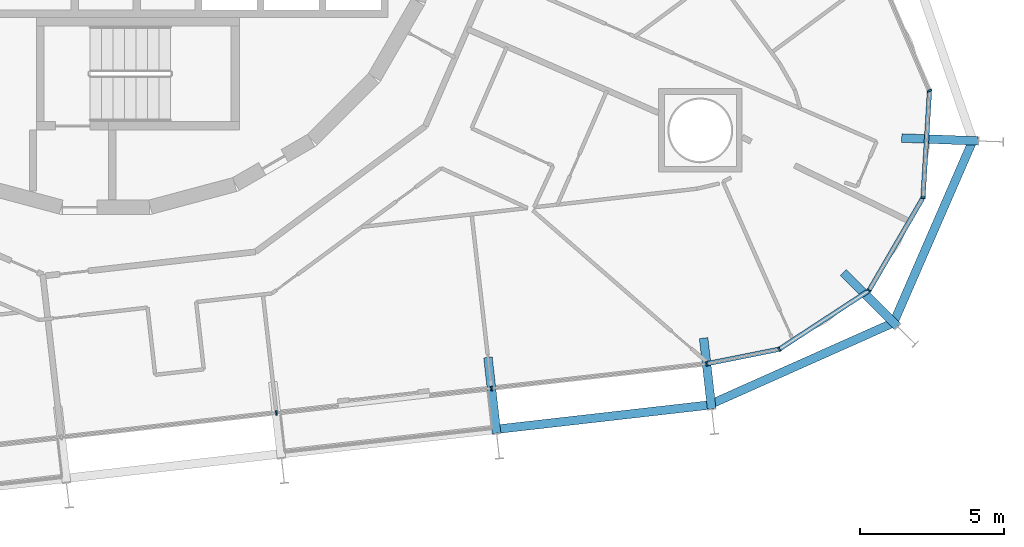
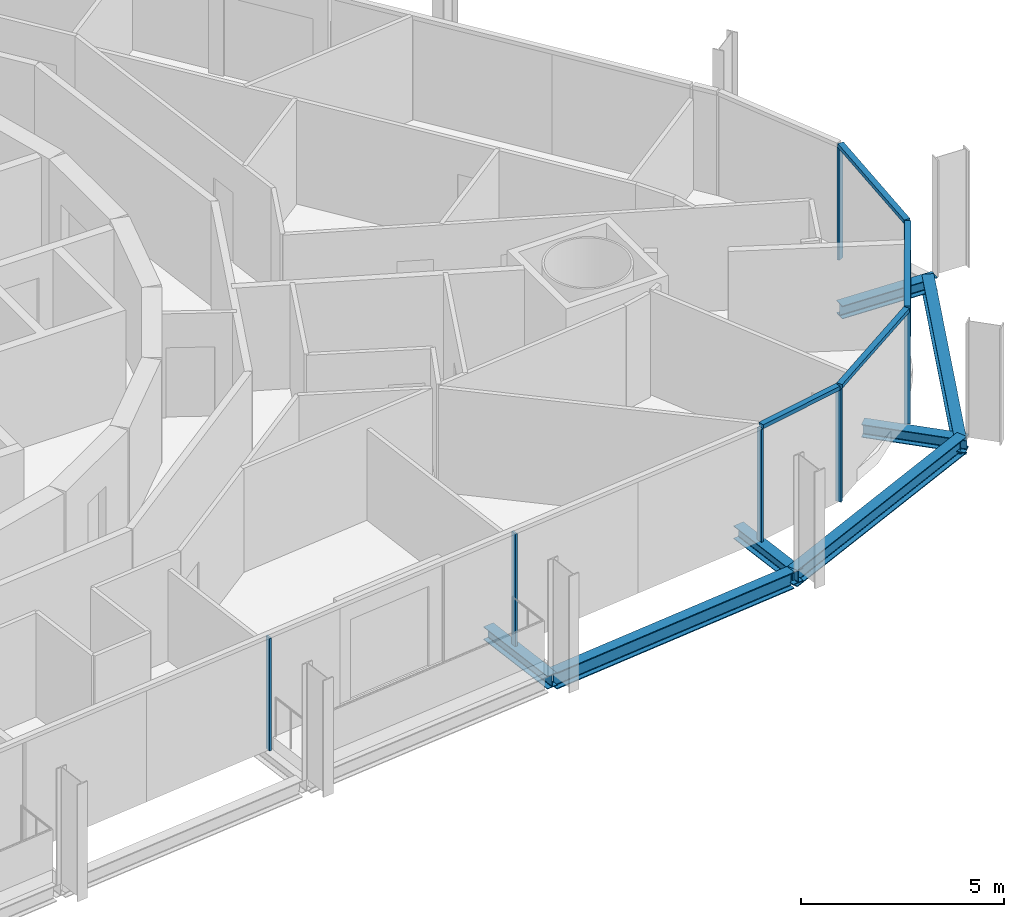
# One storey, part 7 of 23: 11 members, 7 beams, 2 elements without a shape of their own.
"""IFC4 building model written with IfcOpenShell, lengths in metres."""

from ifc_helpers import new_model, si_unit, direction, frame, origin, origin_2d, place, context, subcontext, project, spatial, rectangle, i_section, extrude, material, layer, layer_set, material_profile, profile_set, type_object, element, aggregate, save


model = new_model("IFC4")

# Units and contexts
model_context = context("Model", 3, precision=1e-05, world=origin(), true_north=direction((0.0, 1.0)))
body_context = subcontext(model_context, "Body", "Model", "MODEL_VIEW")
ifc_project = project(units=[si_unit("LENGTHUNIT", "METRE"), si_unit("AREAUNIT", "SQUARE_METRE"), si_unit("VOLUMEUNIT", "CUBIC_METRE"), si_unit("PLANEANGLEUNIT", "RADIAN"), si_unit("MASSUNIT", "GRAM", prefix="KILO")], contexts=[model_context])

# Site, building, storey
site_placement = place(None, origin())
site = spatial("IfcSite", under=ifc_project, at=site_placement, CompositionType="ELEMENT")
building_placement = place(site_placement, origin())
building = spatial("IfcBuilding", under=site, at=building_placement, Name="Spindle Arch Residences", CompositionType="ELEMENT")
storey_placement = place(building_placement, frame((0.0, 0.0, 83.699951171875)))
storey = spatial("IfcBuildingStorey", under=building, at=storey_placement, Name="L19", CompositionType="ELEMENT", Elevation=83.699951171875)

# Curtain wall, members
ifc_material_1 = material(Name="Aluminium bronze unitised frame with tinted glass", Category="aluminium")
ifc_layer_1 = layer(ifc_material_1, 0.159912109375)
ifc_layer_set_1 = layer_set([ifc_layer_1], Name="CW-D corner wall on the fillet arcs")
curtain_wall_type_1 = type_object("IfcCurtainWallType", Name="CW-D corner wall on the fillet arcs", PredefinedType="NOTDEFINED", material=ifc_layer_set_1)
curtain_wall_1_placement = place(storey_placement, origin())
curtain_wall_1 = element("IfcCurtainWall", 1, at=curtain_wall_1_placement, inside=storey, type_object=curtain_wall_type_1, Name="CW-D L19 run 1", PredefinedType="NOTDEFINED")
ifc_material_2 = material(Name="Aluminium bronze anodised mullion", Category="aluminium")
ifc_material_profile_1 = material_profile(ifc_material_2, rectangle(XDim=0.159912109375, YDim=0.06005859375, at=origin_2d()), Name="MU 60x160")
ifc_profile_set_1 = profile_set([ifc_material_profile_1], Name="Aluminium bronze anodised mullion")
member_type_1 = type_object("IfcMemberType", Name="Bronze mullion 60x160", PredefinedType="MULLION", material=ifc_profile_set_1)
member_1_placement = place(storey_placement, frame((20.865234375, -17.085205078125, -0.3798828125), z_axis=(0.0, 0.0, 1.0), x_axis=(-0.196863041416, 0.980430998553, 0.0)))
member_1 = element("IfcMember", 2, at=member_1_placement, type_object=member_type_1, Name="CW-D mullion 00", PredefinedType="MULLION", context=body_context, shape_type="SweptSolid", body=[
    extrude(rectangle(XDim=0.159912109375, YDim=0.06005859375, at=origin_2d()), origin(), (0.0, 0.0, 1.0), 3.3798828125),
])
member_2_placement = place(storey_placement, frame((23.38916015625, -16.57861328125, -0.3798828125), z_axis=(0.0, 0.0, 1.0), x_axis=(-0.547076323657, 0.83708272954, 0.0)))
member_2 = element("IfcMember", 3, at=member_2_placement, type_object=member_type_1, Name="CW-D mullion 01", PredefinedType="MULLION", context=body_context, shape_type="SweptSolid", body=[
    extrude(rectangle(XDim=0.159912109375, YDim=0.06005859375, at=origin_2d()), origin(), (0.0, 0.0, 1.0), 3.3798828125),
])
member_3_placement = place(storey_placement, frame((26.508544921875, -14.539794921875, -0.3798828125), z_axis=(0.0, 0.0, 1.0), x_axis=(-0.864567301682, 0.502517045345, 0.0)))
member_3 = element("IfcMember", 4, at=member_3_placement, type_object=member_type_1, Name="CW-D mullion 02", PredefinedType="MULLION", context=body_context, shape_type="SweptSolid", body=[
    extrude(rectangle(XDim=0.159912109375, YDim=0.06005859375, at=origin_2d()), origin(), (0.0, 0.0, 1.0), 3.3798828125),
])
member_4_placement = place(storey_placement, frame((28.38134765625, -11.317626953125, -0.3798828125), z_axis=(0.0, 0.0, 1.0), x_axis=(-0.998134798631, 0.06104853612, 0.0)))
member_4 = element("IfcMember", 5, at=member_4_placement, type_object=member_type_1, Name="CW-D mullion 03", PredefinedType="MULLION", context=body_context, shape_type="SweptSolid", body=[
    extrude(rectangle(XDim=0.159912109375, YDim=0.06005859375, at=origin_2d()), origin(), (0.0, 0.0, 1.0), 3.3798828125),
])
member_5_placement = place(storey_placement, frame((28.60888671875, -7.597900390625, -0.3798828125), z_axis=(0.0, 0.0, 1.0), x_axis=(-0.919364369298, -0.393407112882, 0.0)))
member_5 = element("IfcMember", 6, at=member_5_placement, type_object=member_type_1, Name="CW-D mullion 04", PredefinedType="MULLION", context=body_context, shape_type="SweptSolid", body=[
    extrude(rectangle(XDim=0.159912109375, YDim=0.06005859375, at=origin_2d()), origin(), (0.0, 0.0, 1.0), 3.3798828125),
])

ifc_material_3 = material(Name="Aluminium bronze unitised frame with tinted glass", Category="aluminium")
ifc_layer_2 = layer(ifc_material_3, 0.159912109375)
ifc_layer_set_2 = layer_set([ifc_layer_2], Name="CW-C typical residential unitised wall")
curtain_wall_type_2 = type_object("IfcCurtainWallType", Name="CW-C typical residential unitised wall", PredefinedType="NOTDEFINED", material=ifc_layer_set_2)
curtain_wall_2_placement = place(storey_placement, origin())
curtain_wall_2 = element("IfcCurtainWall", 7, at=curtain_wall_2_placement, inside=storey, type_object=curtain_wall_type_2, Name="CW-C L19 run 6", PredefinedType="NOTDEFINED")
member_6_placement = place(storey_placement, frame((5.92431640625, -18.78759765625, -0.3798828125), z_axis=(0.0, 0.0, 1.0), x_axis=(-0.113203213768, 0.993571855677, 0.0)))
member_6 = element("IfcMember", 8, at=member_6_placement, type_object=member_type_1, Name="CW-C mullion 00", PredefinedType="MULLION", context=body_context, shape_type="SweptSolid", body=[
    extrude(rectangle(XDim=0.159912109375, YDim=0.06005859375, at=origin_2d()), origin(), (0.0, 0.0, 1.0), 3.3798828125),
])
member_7_placement = place(storey_placement, frame((13.394775390625, -17.9365234375, -0.3798828125), z_axis=(0.0, 0.0, 1.0), x_axis=(-0.113203213768, 0.993571855677, 0.0)))
member_7 = element("IfcMember", 9, at=member_7_placement, type_object=member_type_1, Name="CW-C mullion 01", PredefinedType="MULLION", context=body_context, shape_type="SweptSolid", body=[
    extrude(rectangle(XDim=0.159912109375, YDim=0.06005859375, at=origin_2d()), origin(), (0.0, 0.0, 1.0), 3.3798828125),
])
aggregate(curtain_wall_2, [member_6, member_7])

# Member
ifc_material_4 = material(Name="Aluminium bronze anodised transom", Category="aluminium")
ifc_material_profile_2 = material_profile(ifc_material_4, rectangle(XDim=0.159912109375, YDim=0.1201171875, at=origin_2d()), Name="TR 120x160")
ifc_profile_set_2 = profile_set([ifc_material_profile_2], Name="Aluminium bronze anodised transom")
member_type_2 = type_object("IfcMemberType", Name="Bronze transom 120x160", PredefinedType="USERDEFINED", material=ifc_profile_set_2)
member_8_placement = place(storey_placement, frame((20.894775390625, -17.079345703125, 3.06005859375), z_axis=(0.980434738394, 0.196844415088, 0.0), x_axis=(-0.196844415088, 0.980434738394, 0.0)))
member_8 = element("IfcMember", 10, at=member_8_placement, type_object=member_type_2, Name="CW-D transom 00", ObjectType="TRANSOM", PredefinedType="USERDEFINED", context=body_context, shape_type="SweptSolid", body=[
    extrude(rectangle(XDim=0.159912109375, YDim=0.1201171875, at=origin_2d()), origin(), (0.0, 0.0, 1.0), 2.513916015625),
])

member_9_placement = place(storey_placement, frame((23.4140625, -16.562255859375, 3.06005859375), z_axis=(0.837085709997, 0.547071763226, 0.0), x_axis=(-0.547071763226, 0.837085709997, 0.0)))
member_9 = element("IfcMember", 11, at=member_9_placement, type_object=member_type_2, Name="CW-D transom 01", ObjectType="TRANSOM", PredefinedType="USERDEFINED", context=body_context, shape_type="SweptSolid", body=[
    extrude(rectangle(XDim=0.159912109375, YDim=0.1201171875, at=origin_2d()), origin(), (0.0, 0.0, 1.0), 3.6669921875),
])

member_10_placement = place(storey_placement, frame((26.523681640625, -14.513916015625, 3.06005859375), z_axis=(0.502549865263, 0.864548224753, 0.0), x_axis=(-0.864548224753, 0.502549865263, 0.0)))
member_10 = element("IfcMember", 12, at=member_10_placement, type_object=member_type_2, Name="CW-D transom 02", ObjectType="TRANSOM", PredefinedType="USERDEFINED", context=body_context, shape_type="SweptSolid", body=[
    extrude(rectangle(XDim=0.159912109375, YDim=0.1201171875, at=origin_2d()), origin(), (0.0, 0.0, 1.0), 3.666748046875),
])

member_11_placement = place(storey_placement, frame((28.38330078125, -11.287841796875, 3.06005859375), z_axis=(0.061055913319, 0.998134347395, 0.0), x_axis=(-0.998134347395, 0.061055913319, 0.0)))
member_11 = element("IfcMember", 13, at=member_11_placement, type_object=member_type_2, Name="CW-D transom 03", ObjectType="TRANSOM", PredefinedType="USERDEFINED", context=body_context, shape_type="SweptSolid", body=[
    extrude(rectangle(XDim=0.159912109375, YDim=0.1201171875, at=origin_2d()), origin(), (0.0, 0.0, 1.0), 3.666748046875),
])

aggregate(curtain_wall_1, [member_1, member_8, member_2, member_9, member_3, member_10, member_4, member_11, member_5])

# Beams
ifc_material_5 = material(Name="Steel S460ML, intumescent coating R 120", Category="steel")
ifc_material_profile_3 = material_profile(ifc_material_5, i_section(OverallWidth=0.300048828125, OverallDepth=0.5, WebThickness=0.014404296875, FlangeThickness=0.028076171875, FilletRadius=0.027099609375, at=origin_2d()), Name="HEB 500")
ifc_profile_set_3 = profile_set([ifc_material_profile_3], Name="Steel S460ML, intumescent coating R 120")
beam_type_1 = type_object("IfcBeamType", Name="Exoskeleton edge beam HEB 500", PredefinedType="BEAM", material=ifc_profile_set_3)
beam_1_placement = place(storey_placement, frame((13.686279296875, -19.345703125, -0.6298828125), z_axis=(0.993567208644, 0.113243992807, 0.0), x_axis=(-0.113243992807, 0.993567208644, 0.0)))
element("IfcBeam", 14, at=beam_1_placement, inside=storey, type_object=beam_type_1, Name="Exoskeleton edge beam 2", PredefinedType="BEAM", context=body_context, shape_type="SweptSolid", body=[
    extrude(i_section(OverallWidth=0.300048828125, OverallDepth=0.5, WebThickness=0.014404296875, FlangeThickness=0.028076171875, FilletRadius=0.027099609375, at=origin_2d()), origin(), (0.0, 0.0, 1.0), 7.2587890625),
])
beam_2_placement = place(storey_placement, frame((20.956787109375, -18.510986328125, -0.6298828125), z_axis=(0.913358271861, 0.407156809133, 0.0), x_axis=(-0.407156809133, 0.913358271861, 0.0)))
element("IfcBeam", 15, at=beam_2_placement, inside=storey, type_object=beam_type_1, Name="Exoskeleton edge beam 3", PredefinedType="BEAM", context=body_context, shape_type="SweptSolid", body=[
    extrude(i_section(OverallWidth=0.300048828125, OverallDepth=0.5, WebThickness=0.014404296875, FlangeThickness=0.028076171875, FilletRadius=0.027099609375, at=origin_2d()), origin(), (0.0, 0.0, 1.0), 7.09423828125),
])
beam_3_placement = place(storey_placement, frame((27.324462890625, -15.74462890625, -0.6298828125), z_axis=(0.398753826639, 0.917058005658, 0.0), x_axis=(-0.917058005658, 0.398753826639, 0.0)))
element("IfcBeam", 16, at=beam_3_placement, inside=storey, type_object=beam_type_1, Name="Exoskeleton edge beam 4", PredefinedType="BEAM", context=body_context, shape_type="SweptSolid", body=[
    extrude(i_section(OverallWidth=0.300048828125, OverallDepth=0.5, WebThickness=0.014404296875, FlangeThickness=0.028076171875, FilletRadius=0.027099609375, at=origin_2d()), origin(), (0.0, 0.0, 1.0), 7.086181640625),
])
ifc_material_6 = material(Name="Steel S460ML, intumescent coating R 120", Category="steel")
ifc_material_profile_4 = material_profile(ifc_material_6, i_section(OverallWidth=0.300048828125, OverallDepth=0.389892578125, WebThickness=0.010986328125, FlangeThickness=0.01904296875, FilletRadius=0.027099609375, at=origin_2d()), Name="HEA 400")
ifc_profile_set_4 = profile_set([ifc_material_profile_4], Name="Steel S460ML, intumescent coating R 120")
beam_type_2 = type_object("IfcBeamType", Name="Floor outrigger HEA 400", PredefinedType="BEAM", material=ifc_profile_set_4)
beam_4_placement = place(storey_placement, frame((13.572509765625, -19.496337890625, -0.574951171875), z_axis=(-0.113130863078, 0.993580096328, 0.0), x_axis=(-0.993580096328, -0.113130863078, 0.0)))
element("IfcBeam", 17, at=beam_4_placement, inside=storey, type_object=beam_type_2, Name="Floor outrigger 2", PredefinedType="BEAM", context=body_context, shape_type="SweptSolid", body=[
    extrude(i_section(OverallWidth=0.300048828125, OverallDepth=0.389892578125, WebThickness=0.010986328125, FlangeThickness=0.01904296875, FilletRadius=0.027099609375, at=origin_2d()), origin(), (0.0, 0.0, 1.0), 2.650146484375),
])
beam_5_placement = place(storey_placement, frame((21.043212890625, -18.645263671875, -0.574951171875), z_axis=(-0.113326452293, 0.993557806678, 0.0), x_axis=(-0.993557806678, -0.113326452293, 0.0)))
element("IfcBeam", 18, at=beam_5_placement, inside=storey, type_object=beam_type_2, Name="Floor outrigger 3", PredefinedType="BEAM", context=body_context, shape_type="SweptSolid", body=[
    extrude(i_section(OverallWidth=0.300048828125, OverallDepth=0.389892578125, WebThickness=0.010986328125, FlangeThickness=0.01904296875, FilletRadius=0.027099609375, at=origin_2d()), origin(), (0.0, 0.0, 1.0), 2.470947265625),
])
beam_6_placement = place(storey_placement, frame((27.49169921875, -15.78076171875, -0.574951171875), z_axis=(-0.709222613683, 0.704984598584, 0.0), x_axis=(-0.704984598584, -0.709222613683, 0.0)))
element("IfcBeam", 19, at=beam_6_placement, inside=storey, type_object=beam_type_2, Name="Floor outrigger 4", PredefinedType="BEAM", context=body_context, shape_type="SweptSolid", body=[
    extrude(i_section(OverallWidth=0.300048828125, OverallDepth=0.389892578125, WebThickness=0.010986328125, FlangeThickness=0.01904296875, FilletRadius=0.027099609375, at=origin_2d()), origin(), (0.0, 0.0, 1.0), 2.64990234375),
])
beam_7_placement = place(storey_placement, frame((30.290771484375, -9.34375, -0.574951171875), z_axis=(-0.999282920946, 0.037863490413, 0.0), x_axis=(-0.037863490413, -0.999282920946, 0.0)))
element("IfcBeam", 20, at=beam_7_placement, inside=storey, type_object=beam_type_2, Name="Floor outrigger 5", PredefinedType="BEAM", context=body_context, shape_type="SweptSolid", body=[
    extrude(i_section(OverallWidth=0.300048828125, OverallDepth=0.389892578125, WebThickness=0.010986328125, FlangeThickness=0.01904296875, FilletRadius=0.027099609375, at=origin_2d()), origin(), (0.0, 0.0, 1.0), 2.650146484375),
])

save(model, "model.ifc")
